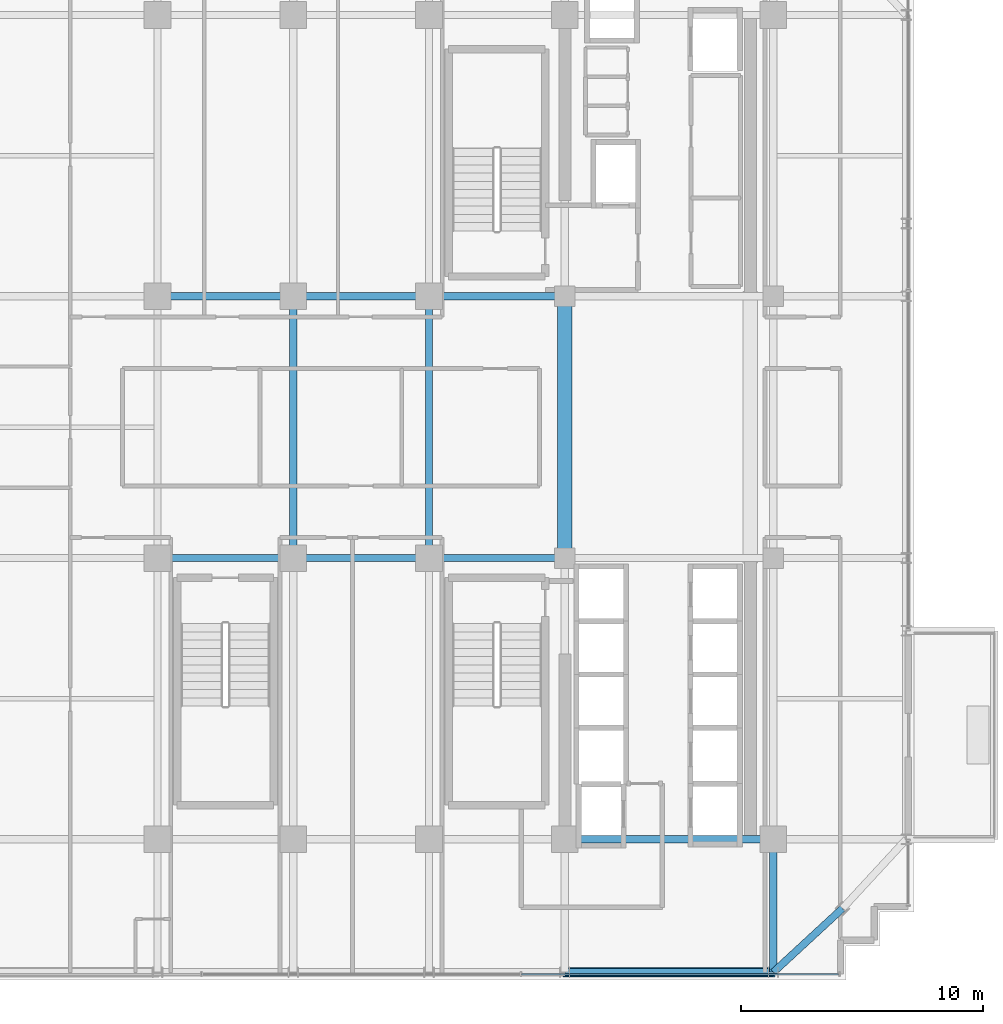
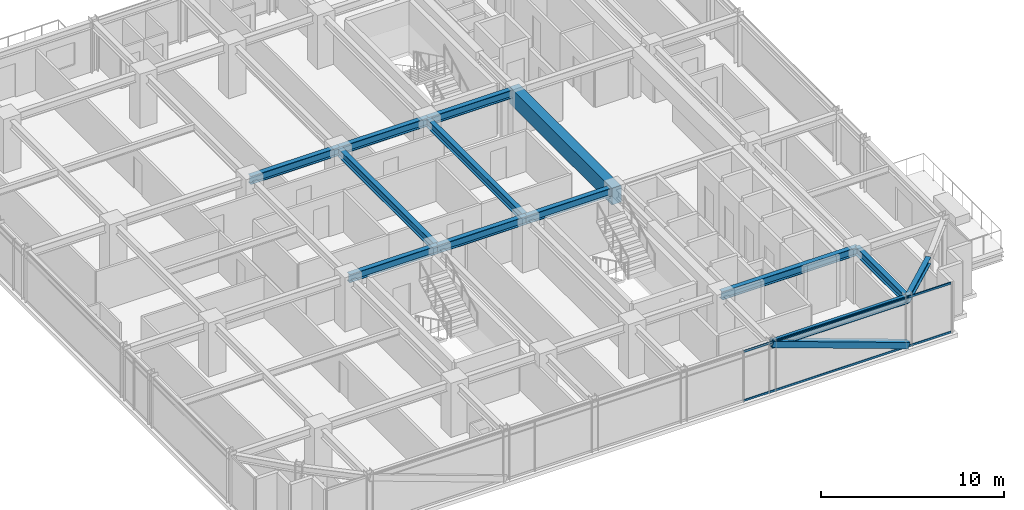
# One storey, part 9 of 29: 13 beams, 3 members, 1 element without a shape of its own.
"""IFC4 building model written with IfcOpenShell, lengths in metres."""

from ifc_helpers import new_model, si_unit, direction, frame, origin, origin_2d, place, context, subcontext, project, spatial, rectangle, hollow_rectangle, i_section, extrude, source, transform, mapped, material, material_profile, profile_set, type_object, element, aggregate, save


model = new_model("IFC4")

# Units and contexts
model_context = context("Model", 3, precision=1e-05, world=origin(), true_north=direction((0.0, 1.0)))
body_context = subcontext(model_context, "Body", "Model", "MODEL_VIEW")
ifc_project = project(units=[si_unit("LENGTHUNIT", "METRE"), si_unit("AREAUNIT", "SQUARE_METRE"), si_unit("VOLUMEUNIT", "CUBIC_METRE"), si_unit("PLANEANGLEUNIT", "RADIAN"), si_unit("MASSUNIT", "GRAM", prefix="KILO")], contexts=[model_context])

# Site, building, storey
site_placement = place(None, origin())
site = spatial("IfcSite", under=ifc_project, at=site_placement, CompositionType="ELEMENT")
building_placement = place(site_placement, origin())
building = spatial("IfcBuilding", under=site, at=building_placement, Name="Nahalor Promenade Grand Hotel", CompositionType="ELEMENT")
storey_placement = place(building_placement, frame((0.0, 0.0, 189.14990234375)))
storey = spatial("IfcBuildingStorey", under=building, at=storey_placement, Name="L48", CompositionType="ELEMENT", Elevation=189.14990234375)

# Beams
ifc_material_1 = material(Name="Concrete B-60 (C50/60)", Category="concrete")
ifc_material_profile_1 = material_profile(ifc_material_1, rectangle(XDim=0.6, YDim=1.1, at=origin_2d()), Name="RC 600x1100")
ifc_profile_set_1 = profile_set([ifc_material_profile_1], Name="Concrete B-60 (C50/60)")
beam_type_1 = type_object("IfcBeamType", Name="Beam-Lintel-RC1100", PredefinedType="LINTEL", material=ifc_profile_set_1)
shared_shape_1 = source(origin(), body_context, "Body", "SweptSolid", [
    extrude(rectangle(XDim=0.6, YDim=1.1, at=origin_2d()), origin(), (0.0, 0.0, 1.0), 11.2001953125),
])
beam_1_placement = place(storey_placement, frame((8.39990234375, -5.60009765625, 2.840087890625), z_axis=(0.0, 1.0, 0.0), x_axis=(-1.0, 0.0, 0.0)))
element("IfcBeam", 1, at=beam_1_placement, inside=storey, type_object=beam_type_1, Name="BM-L48-LINT-W", PredefinedType="LINTEL", context=body_context, shape_type="MappedRepresentation", body=[
    mapped(shared_shape_1, transform((0.0, 0.0, 0.0), scale=1.0)),
])
ifc_material_2 = material(Name="Steel S355JR", Category="steel")
ifc_material_profile_2 = material_profile(ifc_material_2, i_section(OverallWidth=0.3, OverallDepth=0.55, WebThickness=0.015, FlangeThickness=0.029, at=origin_2d()), Name="HEB 550")
ifc_profile_set_2 = profile_set([ifc_material_profile_2], Name="Steel S355JR")
beam_type_2 = type_object("IfcBeamType", Name="Beam-Girder-HEB550", PredefinedType="BEAM", material=ifc_profile_set_2)
shared_shape_2 = source(origin(), body_context, "Body", "SweptSolid", [
    extrude(i_section(OverallWidth=0.3, OverallDepth=0.55, WebThickness=0.015, FlangeThickness=0.029, at=origin_2d()), origin(), (0.0, 0.0, 1.0), 8.60009765625),
])
beam_2_placement = place(storey_placement, frame((8.39990234375, -17.0, 3.114990234375), z_axis=(1.0, 0.0, 0.0), x_axis=(0.0, 1.0, 0.0)))
element("IfcBeam", 2, at=beam_2_placement, inside=storey, type_object=beam_type_2, Name="BM-L48-GX-0-5", PredefinedType="BEAM", context=body_context, shape_type="MappedRepresentation", body=[
    mapped(shared_shape_2, transform((0.0, 0.0, 0.0), scale=1.0)),
])
shared_shape_3 = source(origin(), body_context, "Body", "SweptSolid", [
    extrude(i_section(OverallWidth=0.3, OverallDepth=0.55, WebThickness=0.015, FlangeThickness=0.029, at=origin_2d()), origin(), (0.0, 0.0, 1.0), 5.599853515625),
])
for number, where, z_axis, x_axis, name in (
    (3, (-8.39990234375, -5.39990234375, 3.114990234375), (1.0, 0.0, 0.0), (0.0, 1.0, 0.0), "BM-L48-GX-1-2"),
    (4, (2.800048828125, -5.39990234375, 3.114990234375), (1.0, 0.0, 0.0), (0.0, 1.0, 0.0), "BM-L48-GX-1-4"),
    (5, (-8.39990234375, 5.39990234375, 3.114990234375), (1.0, 0.0, 0.0), (0.0, 1.0, 0.0), "BM-L48-GX-2-2"),
    (6, (2.800048828125, 5.39990234375, 3.114990234375), (1.0, 0.0, 0.0), (0.0, 1.0, 0.0), "BM-L48-GX-2-4"),
):
    element("IfcBeam", number, at=place(storey_placement, frame(where, z_axis=z_axis, x_axis=x_axis)), inside=storey, type_object=beam_type_2, Name=name, PredefinedType="BEAM", context=body_context, shape_type="MappedRepresentation", body=[
        mapped(shared_shape_3, transform((0.0, 0.0, 0.0), scale=1.0)),
    ])
shared_shape_4 = source(origin(), body_context, "Body", "SweptSolid", [
    extrude(i_section(OverallWidth=0.3, OverallDepth=0.55, WebThickness=0.015, FlangeThickness=0.029, at=origin_2d()), origin(), (0.0, 0.0, 1.0), 5.60009765625),
])
for number, where, z_axis, x_axis, name in (
    (7, (-2.800048828125, -5.39990234375, 3.114990234375), (1.0, 0.0, 0.0), (0.0, 1.0, 0.0), "BM-L48-GX-1-3"),
    (8, (-2.800048828125, 5.39990234375, 3.114990234375), (1.0, 0.0, 0.0), (0.0, 1.0, 0.0), "BM-L48-GX-2-3"),
):
    element("IfcBeam", number, at=place(storey_placement, frame(where, z_axis=z_axis, x_axis=x_axis)), inside=storey, type_object=beam_type_2, Name=name, PredefinedType="BEAM", context=body_context, shape_type="MappedRepresentation", body=[
        mapped(shared_shape_4, transform((0.0, 0.0, 0.0), scale=1.0)),
    ])
shared_shape_5 = source(origin(), body_context, "Body", "SweptSolid", [
    extrude(i_section(OverallWidth=0.3, OverallDepth=0.55, WebThickness=0.015, FlangeThickness=0.029, at=origin_2d()), origin(), (0.0, 0.0, 1.0), 10.7998046875),
])
for number, where, z_axis, x_axis, name in (
    (9, (-2.800048828125, -5.39990234375, 3.114990234375), (0.0, 1.0, 0.0), (-1.0, 0.0, 0.0), "BM-L48-GY-2-2"),
    (10, (2.800048828125, -5.39990234375, 3.114990234375), (0.0, 1.0, 0.0), (-1.0, 0.0, 0.0), "BM-L48-GY-3-2"),
):
    element("IfcBeam", number, at=place(storey_placement, frame(where, z_axis=z_axis, x_axis=x_axis)), inside=storey, type_object=beam_type_2, Name=name, PredefinedType="BEAM", context=body_context, shape_type="MappedRepresentation", body=[
        mapped(shared_shape_5, transform((0.0, 0.0, 0.0), scale=1.0)),
    ])
shared_shape_6 = source(origin(), body_context, "Body", "SweptSolid", [
    extrude(i_section(OverallWidth=0.3, OverallDepth=0.55, WebThickness=0.015, FlangeThickness=0.029, at=origin_2d()), origin(), (0.0, 0.0, 1.0), 5.47998046875),
])
beam_3_placement = place(storey_placement, frame((17.0, -22.47998046875, 3.114990234375), z_axis=(0.0, 1.0, 0.0), x_axis=(-1.0, 0.0, 0.0)))
element("IfcBeam", 11, at=beam_3_placement, inside=storey, type_object=beam_type_2, Name="BM-L48-GY-5-0", PredefinedType="BEAM", context=body_context, shape_type="MappedRepresentation", body=[
    mapped(shared_shape_6, transform((0.0, 0.0, 0.0), scale=1.0)),
])
ifc_material_profile_3 = material_profile(ifc_material_2, i_section(OverallWidth=0.3, OverallDepth=0.45, WebThickness=0.014, FlangeThickness=0.026, at=origin_2d()), Name="HEB 450")
ifc_profile_set_3 = profile_set([ifc_material_profile_3], Name="Steel S355JR")
beam_type_3 = type_object("IfcBeamType", Name="Beam-Spandrel-HEB450", PredefinedType="SPANDREL", material=ifc_profile_set_3)
shared_shape_7 = source(origin(), body_context, "Body", "SweptSolid", [
    extrude(i_section(OverallWidth=0.3, OverallDepth=0.45, WebThickness=0.014, FlangeThickness=0.026, at=origin_2d()), origin(), (0.0, 0.0, 1.0), 8.60009765625),
])
beam_4_placement = place(storey_placement, frame((8.39990234375, -22.47998046875, 3.1650390625), z_axis=(1.0, 0.0, 0.0), x_axis=(0.0, 1.0, 0.0)))
element("IfcBeam", 12, at=beam_4_placement, inside=storey, type_object=beam_type_3, Name="BM-L48-SP-S-4", PredefinedType="SPANDREL", context=body_context, shape_type="MappedRepresentation", body=[
    mapped(shared_shape_7, transform((0.0, 0.0, 0.0), scale=1.0)),
])
shared_shape_8 = source(origin(), body_context, "Body", "SweptSolid", [
    extrude(i_section(OverallWidth=0.3, OverallDepth=0.45, WebThickness=0.014, FlangeThickness=0.026, at=origin_2d()), origin(), (0.0, 0.0, 1.0), 3.878173828125),
])
beam_5_placement = place(storey_placement, frame((17.0, -22.47998046875, 3.1650390625), z_axis=(0.73492893846, 0.678144125843, 0.0), x_axis=(-0.678144125843, 0.73492893846, 0.0)))
element("IfcBeam", 13, at=beam_5_placement, inside=storey, type_object=beam_type_3, Name="BM-L48-SPC-SE-1", PredefinedType="SPANDREL", context=body_context, shape_type="MappedRepresentation", body=[
    mapped(shared_shape_8, transform((0.0, 0.0, 0.0), scale=1.0)),
])

# Member
ifc_material_profile_4 = material_profile(ifc_material_2, hollow_rectangle(XDim=0.4, YDim=0.4, WallThickness=0.022, at=origin_2d()), Name="SHS 400x400x22")
ifc_profile_set_4 = profile_set([ifc_material_profile_4], Name="Steel S355JR")
member_type_1 = type_object("IfcMemberType", Name="Mem-ExoBrace-SHS400", PredefinedType="BRACE", material=ifc_profile_set_4)
shared_shape_9 = source(origin(), body_context, "Body", "SweptSolid", [
    extrude(hollow_rectangle(XDim=0.4, YDim=0.4, WallThickness=0.022, at=origin_2d()), origin(), (0.0, 0.0, 1.0), 9.138427734375),
])
member_1_placement = place(storey_placement, frame((17.0, -22.47998046875, 0.150146484375), z_axis=(-0.941103144716, 0.0, 0.338119610501), x_axis=(0.0, -1.0, 0.0)))
element("IfcMember", 14, at=member_1_placement, inside=storey, type_object=member_type_1, Name="EXO-L48-S-1", PredefinedType="BRACE", context=body_context, shape_type="MappedRepresentation", body=[
    mapped(shared_shape_9, transform((0.0, 0.0, 0.0), scale=1.0)),
])

# Curtain wall, members
ifc_material_3 = material(Name="Anodised Bronze Aluminium EN AW-6063 T6", Category="aluminium")
curtain_wall_type = type_object("IfcCurtainWallType", Name="CW2 Typical Hotel Flush Bronze Unitised Curtain Wall", PredefinedType="USERDEFINED", material=ifc_material_3)
curtain_wall_placement = place(storey_placement, origin())
curtain_wall = element("IfcCurtainWall", 15, at=curtain_wall_placement, inside=storey, type_object=curtain_wall_type, Name="L48 Curtain Wall CW-L48-S-1", ObjectType="UNITISED_CURTAIN_WALL", PredefinedType="USERDEFINED")
ifc_material_profile_5 = material_profile(ifc_material_3, hollow_rectangle(XDim=0.065, YDim=0.13, WallThickness=0.004, at=origin_2d()), Name="CWT 65x130x4")
ifc_profile_set_5 = profile_set([ifc_material_profile_5], Name="Anodised Bronze Aluminium EN AW-6063 T6")
member_type_2 = type_object("IfcMemberType", Name="CWT2 Typical Bronze Transom 65x130", PredefinedType="USERDEFINED", material=ifc_profile_set_5)
shared_shape_10 = source(origin(), body_context, "Body", "SweptSolid", [
    extrude(hollow_rectangle(XDim=0.065, YDim=0.13, WallThickness=0.004, at=origin_2d()), origin(), (0.0, 0.0, 1.0), 13.075927734375),
])
member_2_placement = place(storey_placement, frame((6.619140625, -22.56005859375, 0.065185546875), z_axis=(1.0, 0.0, 0.0), x_axis=(0.0, 1.0, 0.0)))
member_2 = element("IfcMember", 16, at=member_2_placement, type_object=member_type_2, Name="CW-L48-S-1 Transom 2-0", ObjectType="TRANSOM", PredefinedType="USERDEFINED", context=body_context, shape_type="MappedRepresentation", body=[
    mapped(shared_shape_10, transform((0.0, 0.0, 0.0), scale=1.0)),
])
member_3_placement = place(storey_placement, frame((6.619140625, -22.56005859375, 3.3251953125), z_axis=(1.0, 0.0, 0.0), x_axis=(0.0, 1.0, 0.0)))
member_3 = element("IfcMember", 17, at=member_3_placement, type_object=member_type_2, Name="CW-L48-S-1 Transom 2-1", ObjectType="TRANSOM", PredefinedType="USERDEFINED", context=body_context, shape_type="MappedRepresentation", body=[
    mapped(shared_shape_10, transform((0.0, 0.0, 0.0), scale=1.0)),
])
aggregate(curtain_wall, [member_2, member_3])

save(model, "model.ifc")
